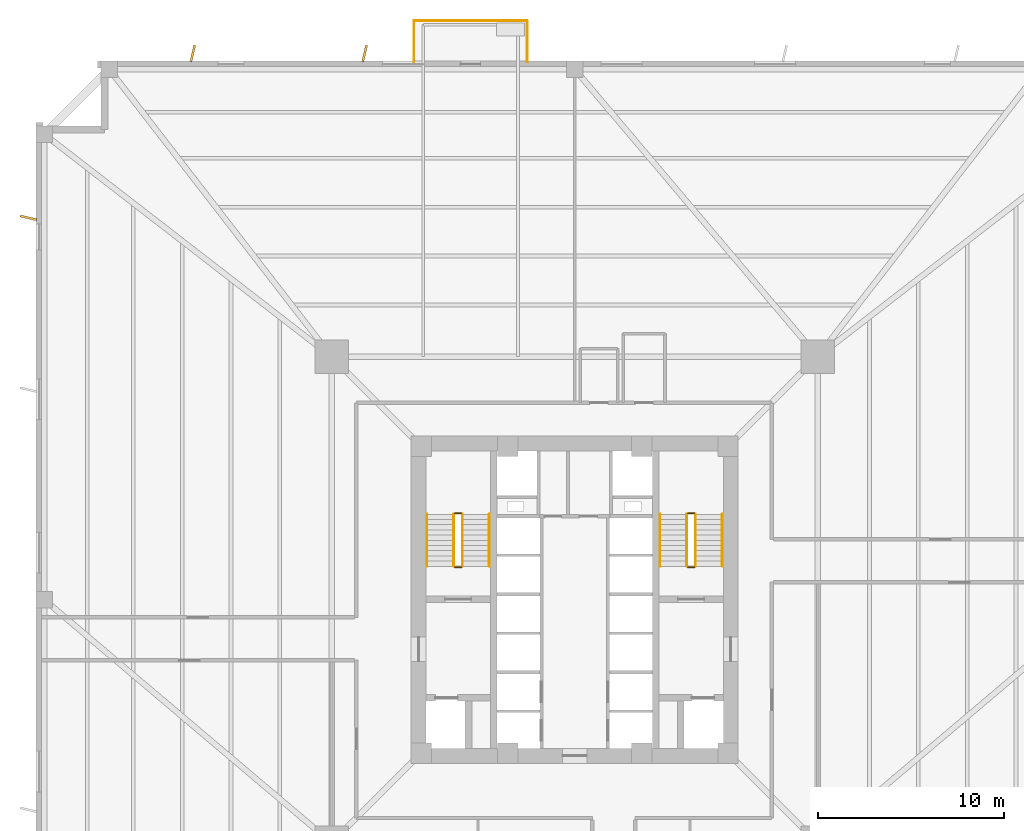
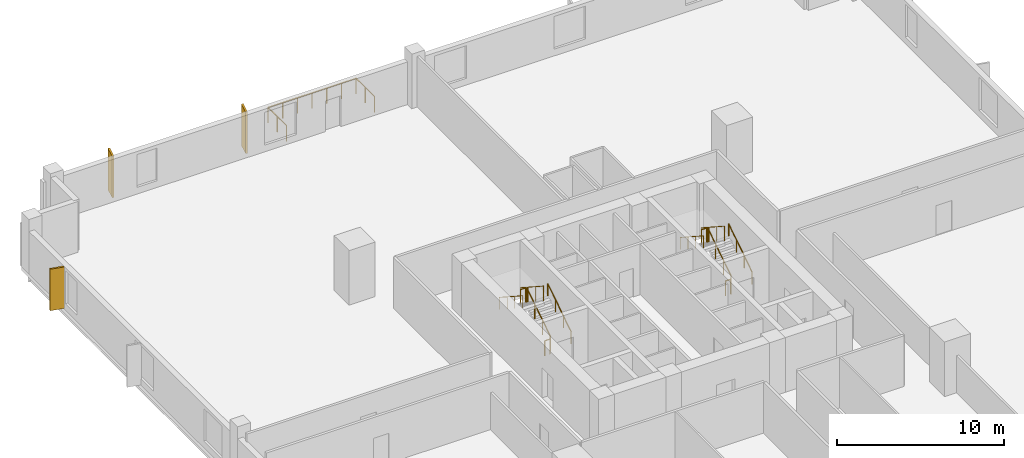
# One storey, part 7 of 8: 15 railings, 3 coverings.
"""IFC4 building model written with IfcOpenShell, lengths in metres."""

from ifc_helpers import new_model, si_unit, direction, frame, origin, origin_2d, place, context, subcontext, project, spatial, rectangle, circle, extrude, source, transform, mapped, material, layer, layer_set, type_object, element, save


model = new_model("IFC4")

# Units and contexts
model_context = context("Model", 3, precision=1e-05, world=origin(), true_north=direction((0.0, 1.0)))
body_context = subcontext(model_context, "Body", "Model", "MODEL_VIEW")
ifc_project = project(units=[si_unit("LENGTHUNIT", "METRE"), si_unit("AREAUNIT", "SQUARE_METRE"), si_unit("VOLUMEUNIT", "CUBIC_METRE"), si_unit("PLANEANGLEUNIT", "RADIAN"), si_unit("MASSUNIT", "GRAM", prefix="KILO"), si_unit("THERMODYNAMICTEMPERATUREUNIT", "KELVIN")], contexts=[model_context])

# Site, building, storey
site_placement = place(None, origin())
site = spatial("IfcSite", under=ifc_project, at=site_placement, CompositionType="ELEMENT")
building_placement = place(site_placement, origin())
building = spatial("IfcBuilding", under=site, at=building_placement, Name="Kosmvard Interchange Tower", CompositionType="ELEMENT")
storey_placement = place(building_placement, frame((0.0, 0.0, 50.0)))
storey = spatial("IfcBuildingStorey", under=building, at=storey_placement, Name="L11", CompositionType="ELEMENT", Elevation=50.0)

# Railings
ifc_material_1 = material(Name="Steel S355", Category="steel")
railing_type_1 = type_object("IfcRailingType", Name="Observation & Balcony Glass-Infill Balustrade 1150", PredefinedType="BALUSTRADE", material=ifc_material_1)
shared_shape_1 = source(origin(), body_context, "Body", "SweptSolid", [
    extrude(circle(Radius=0.02392578125, at=origin_2d()), frame((0.0, 0.0, 1.1259765625), z_axis=(0.0, -1.0, 0.0), x_axis=(1.0, 0.0, 0.0)), (0.0, 0.0, 1.0), 2.199951171875),
    extrude(circle(Radius=0.02099609375, at=origin_2d()), origin(), (0.0, 0.0, 1.0), 1.101806640625),
    extrude(circle(Radius=0.02099609375, at=origin_2d()), frame((0.0, -1.10009765625, 0.0)), (0.0, 0.0, 1.0), 1.101806640625),
    extrude(circle(Radius=0.02099609375, at=origin_2d()), frame((0.0, -2.199951171875, 0.0)), (0.0, 0.0, 1.0), 1.101806640625),
])
railing_1_placement = place(storey_placement, frame((-8.64990234375, 31.14990234375, 0.0)))
element("IfcRailing", 1, at=railing_1_placement, inside=storey, type_object=railing_type_1, Name="L11 Outdoor Terrace Guard BAL-L11-NE-C", PredefinedType="BALUSTRADE", context=body_context, shape_type="MappedRepresentation", body=[
    mapped(shared_shape_1, transform((0.0, 0.0, 0.0), scale=1.0)),
])
shared_shape_2 = source(origin(), body_context, "Body", "SweptSolid", [
    extrude(circle(Radius=0.02392578125, at=origin_2d()), frame((0.0, 0.0, 1.1259765625), z_axis=(0.0, 1.0, 0.0), x_axis=(-1.0, 0.0, 0.0)), (0.0, 0.0, 1.0), 2.199951171875),
    extrude(circle(Radius=0.02099609375, at=origin_2d()), origin(), (0.0, 0.0, 1.0), 1.101806640625),
    extrude(circle(Radius=0.02099609375, at=origin_2d()), frame((0.0, 1.10009765625, 0.0)), (0.0, 0.0, 1.0), 1.101806640625),
    extrude(circle(Radius=0.02099609375, at=origin_2d()), frame((0.0, 2.199951171875, 0.0)), (0.0, 0.0, 1.0), 1.101806640625),
])
railing_2_placement = place(storey_placement, frame((-2.550048828125, 28.949951171875, 0.0)))
element("IfcRailing", 2, at=railing_2_placement, inside=storey, type_object=railing_type_1, Name="L11 Outdoor Terrace Guard BAL-L11-NE-A", PredefinedType="BALUSTRADE", context=body_context, shape_type="MappedRepresentation", body=[
    mapped(shared_shape_2, transform((0.0, 0.0, 0.0), scale=1.0)),
])

# Coverings
ifc_material_2 = material(Name="Architectural anodised aluminium", Category="aluminium")
ifc_layer = layer(ifc_material_2, 0.1201171875, Name="Architectural anodised aluminium")
ifc_layer_set = layer_set([ifc_layer], Name="Architectural anodised aluminium")
covering_type = type_object("IfcCoveringType", Name="Rotating Vertical Sun-Breaker Fin 900x120 Aluminium", PredefinedType="CLADDING", material=ifc_layer_set)
shared_shape_3 = source(origin(), body_context, "Body", "SweptSolid", [
    extrude(rectangle(XDim=0.89990234375, YDim=0.1201171875, at=origin_2d()), origin(), (0.0, 0.0, 1.0), 3.0400390625),
])
for number, where, z_axis, x_axis, name in (
    (3, (-11.3037109375, 29.39990234375, 0.0400390625), (0.0, 0.0, 1.0), (0.230049737188, 0.973178872777, 0.0), "L11 Rotating Vertical Sun-Breaker Fin 11"),
    (4, (-20.552001953125, 29.39990234375, 0.0400390625), (0.0, 0.0, 1.0), (0.230049737188, 0.973178872777, 0.0), "L11 Rotating Vertical Sun-Breaker Fin 12"),
    (5, (-29.39990234375, 20.552001953125, 0.0400390625), (0.0, 0.0, 1.0), (-0.973178872777, 0.230049737188, 0.0), "L11 Rotating Vertical Sun-Breaker Fin 13"),
):
    element("IfcCovering", number, at=place(storey_placement, frame(where, z_axis=z_axis, x_axis=x_axis)), inside=storey, type_object=covering_type, Name=name, PredefinedType="CLADDING", context=body_context, shape_type="MappedRepresentation", body=[
        mapped(shared_shape_3, transform((0.0, 0.0, 0.0), scale=1.0)),
    ])

# Railings
shared_shape_4 = source(origin(), body_context, "Body", "SweptSolid", [
    extrude(circle(Radius=0.02392578125, at=origin_2d()), frame((0.0, 0.0, 1.1259765625), z_axis=(-1.0, 0.0, 0.0), x_axis=(0.0, -1.0, 0.0)), (0.0, 0.0, 1.0), 6.099853515625),
    extrude(circle(Radius=0.02099609375, at=origin_2d()), origin(), (0.0, 0.0, 1.0), 1.101806640625),
    extrude(circle(Radius=0.02099609375, at=origin_2d()), frame((-1.0166015625, 0.0, 0.0)), (0.0, 0.0, 1.0), 1.101806640625),
    extrude(circle(Radius=0.02099609375, at=origin_2d()), frame((-2.033203125, 0.0, 0.0)), (0.0, 0.0, 1.0), 1.101806640625),
    extrude(circle(Radius=0.02099609375, at=origin_2d()), frame((-3.0498046875, 0.0, 0.0)), (0.0, 0.0, 1.0), 1.101806640625),
    extrude(circle(Radius=0.02099609375, at=origin_2d()), frame((-4.066650390625, 0.0, 0.0)), (0.0, 0.0, 1.0), 1.101806640625),
    extrude(circle(Radius=0.02099609375, at=origin_2d()), frame((-5.083251953125, 0.0, 0.0)), (0.0, 0.0, 1.0), 1.101806640625),
    extrude(circle(Radius=0.02099609375, at=origin_2d()), frame((-6.099853515625, 0.0, 0.0)), (0.0, 0.0, 1.0), 1.101806640625),
])
railing_3_placement = place(storey_placement, frame((-2.550048828125, 31.14990234375, 0.0)))
element("IfcRailing", 6, at=railing_3_placement, inside=storey, type_object=railing_type_1, Name="L11 Outdoor Terrace Guard BAL-L11-NE-B", PredefinedType="BALUSTRADE", context=body_context, shape_type="MappedRepresentation", body=[
    mapped(shared_shape_4, transform((0.0, 0.0, 0.0), scale=1.0)),
])
railing_type_2 = type_object("IfcRailingType", Name="Stair & Terrace Safety Guardrail 1100 Steel", PredefinedType="GUARDRAIL", material=ifc_material_1)
shared_shape_5 = source(origin(), body_context, "Body", "SweptSolid", [
    extrude(circle(Radius=0.02392578125, at=origin_2d()), frame((0.0, 0.0, 1.076171875), z_axis=(-1.0, 0.0, 0.0), x_axis=(0.0, -1.0, 0.0)), (0.0, 0.0, 1.0), 0.35986328125),
    extrude(circle(Radius=0.02099609375, at=origin_2d()), origin(), (0.0, 0.0, 1.0), 1.052001953125),
    extrude(circle(Radius=0.02099609375, at=origin_2d()), frame((-0.35986328125, 0.0, 0.0)), (0.0, 0.0, 1.0), 1.052001953125),
])
for number, where, name in (
    (7, (-6.090087890625, 4.64990234375, 2.0), "L11 ST-1 stair guard 2"),
    (8, (-6.090087890625, 1.75, 0.0), "L11 ST-1 stair guard 4"),
    (9, (6.449951171875, 4.64990234375, 2.0), "L11 ST-2 stair guard 2"),
    (10, (6.449951171875, 1.75, 0.0), "L11 ST-2 stair guard 4"),
):
    element("IfcRailing", number, at=place(storey_placement, frame(where)), inside=storey, type_object=railing_type_2, Name=name, PredefinedType="GUARDRAIL", context=body_context, shape_type="MappedRepresentation", body=[
        mapped(shared_shape_5, transform((0.0, 0.0, 0.0), scale=1.0)),
    ])
shared_shape_6 = source(origin(), body_context, "Body", "SweptSolid", [
    extrude(circle(Radius=0.02392578125, at=origin_2d()), frame((0.0, 0.0, 1.076171875), z_axis=(0.0, 0.838705829183, 0.544584733623), x_axis=(-1.0, 0.0, 0.0)), (0.0, 0.0, 1.0), 3.338623046875),
    extrude(circle(Radius=0.02099609375, at=origin_2d()), origin(), (0.0, 0.0, 1.0), 1.052001953125),
    extrude(circle(Radius=0.02099609375, at=origin_2d()), frame((0.0, 0.933349609375, 0.60595703125)), (0.0, 0.0, 1.0), 1.052001953125),
    extrude(circle(Radius=0.02099609375, at=origin_2d()), frame((0.0, 1.86669921875, 1.212158203125)), (0.0, 0.0, 1.0), 1.052001953125),
    extrude(circle(Radius=0.02099609375, at=origin_2d()), frame((0.0, 2.800048828125, 1.818115234375)), (0.0, 0.0, 1.0), 1.052001953125),
])
for number, where, name in (
    (11, (-6.0400390625, 1.800048828125, 0.181884765625), "L11 ST-1 stair guard 1"),
    (12, (6.5, 1.800048828125, 0.181884765625), "L11 ST-2 stair guard 1"),
):
    element("IfcRailing", number, at=place(storey_placement, frame(where)), inside=storey, type_object=railing_type_2, Name=name, PredefinedType="GUARDRAIL", context=body_context, shape_type="MappedRepresentation", body=[
        mapped(shared_shape_6, transform((0.0, 0.0, 0.0), scale=1.0)),
    ])
shared_shape_7 = source(origin(), body_context, "Body", "SweptSolid", [
    extrude(circle(Radius=0.02392578125, at=origin_2d()), frame((0.0, 0.0, 1.076171875), z_axis=(0.0, -0.838705829183, 0.544584733623), x_axis=(1.0, 0.0, 0.0)), (0.0, 0.0, 1.0), 3.338623046875),
    extrude(circle(Radius=0.02099609375, at=origin_2d()), origin(), (0.0, 0.0, 1.0), 1.052001953125),
    extrude(circle(Radius=0.02099609375, at=origin_2d()), frame((0.0, -0.933349609375, 0.60595703125)), (0.0, 0.0, 1.0), 1.052001953125),
    extrude(circle(Radius=0.02099609375, at=origin_2d()), frame((0.0, -1.86669921875, 1.212158203125)), (0.0, 0.0, 1.0), 1.052001953125),
    extrude(circle(Radius=0.02099609375, at=origin_2d()), frame((0.0, -2.800048828125, 1.818115234375)), (0.0, 0.0, 1.0), 1.052001953125),
])
for number, where, name in (
    (13, (-6.5, 4.60009765625, 2.181884765625), "L11 ST-1 stair guard 3"),
    (14, (6.0400390625, 4.60009765625, 2.181884765625), "L11 ST-2 stair guard 3"),
):
    element("IfcRailing", number, at=place(storey_placement, frame(where)), inside=storey, type_object=railing_type_2, Name=name, PredefinedType="GUARDRAIL", context=body_context, shape_type="MappedRepresentation", body=[
        mapped(shared_shape_7, transform((0.0, 0.0, 0.0), scale=1.0)),
    ])
railing_type_3 = type_object("IfcRailingType", Name="Wall-Mounted Stair Handrail 900 Steel", PredefinedType="HANDRAIL", material=ifc_material_1)
shared_shape_8 = source(origin(), body_context, "Body", "SweptSolid", [
    extrude(circle(Radius=0.02392578125, at=origin_2d()), frame((0.0, 0.0, 0.8759765625), z_axis=(0.0, 0.838705829183, 0.544584733623), x_axis=(-1.0, 0.0, 0.0)), (0.0, 0.0, 1.0), 3.338623046875),
    extrude(circle(Radius=0.02099609375, at=origin_2d()), origin(), (0.0, 0.0, 1.0), 0.851806640625),
    extrude(circle(Radius=0.02099609375, at=origin_2d()), frame((0.0, 0.933349609375, 0.60595703125)), (0.0, 0.0, 1.0), 0.851806640625),
    extrude(circle(Radius=0.02099609375, at=origin_2d()), frame((0.0, 1.86669921875, 1.212158203125)), (0.0, 0.0, 1.0), 0.851806640625),
    extrude(circle(Radius=0.02099609375, at=origin_2d()), frame((0.0, 2.800048828125, 1.818115234375)), (0.0, 0.0, 1.0), 0.851806640625),
])
for number, where, name in (
    (15, (-4.590087890625, 1.800048828125, 0.181884765625), "L11 ST-1 stair handrail 1"),
    (16, (7.949951171875, 1.800048828125, 0.181884765625), "L11 ST-2 stair handrail 1"),
):
    element("IfcRailing", number, at=place(storey_placement, frame(where)), inside=storey, type_object=railing_type_3, Name=name, PredefinedType="HANDRAIL", context=body_context, shape_type="MappedRepresentation", body=[
        mapped(shared_shape_8, transform((0.0, 0.0, 0.0), scale=1.0)),
    ])
shared_shape_9 = source(origin(), body_context, "Body", "SweptSolid", [
    extrude(circle(Radius=0.02392578125, at=origin_2d()), frame((0.0, 0.0, 0.8759765625), z_axis=(0.0, -0.838705829183, 0.544584733623), x_axis=(1.0, 0.0, 0.0)), (0.0, 0.0, 1.0), 3.338623046875),
    extrude(circle(Radius=0.02099609375, at=origin_2d()), origin(), (0.0, 0.0, 1.0), 0.851806640625),
    extrude(circle(Radius=0.02099609375, at=origin_2d()), frame((0.0, -0.933349609375, 0.60595703125)), (0.0, 0.0, 1.0), 0.851806640625),
    extrude(circle(Radius=0.02099609375, at=origin_2d()), frame((0.0, -1.86669921875, 1.212158203125)), (0.0, 0.0, 1.0), 0.851806640625),
    extrude(circle(Radius=0.02099609375, at=origin_2d()), frame((0.0, -2.800048828125, 1.818115234375)), (0.0, 0.0, 1.0), 0.851806640625),
])
for number, where, name in (
    (17, (-7.949951171875, 4.60009765625, 2.181884765625), "L11 ST-1 stair handrail 2"),
    (18, (4.590087890625, 4.60009765625, 2.181884765625), "L11 ST-2 stair handrail 2"),
):
    element("IfcRailing", number, at=place(storey_placement, frame(where)), inside=storey, type_object=railing_type_3, Name=name, PredefinedType="HANDRAIL", context=body_context, shape_type="MappedRepresentation", body=[
        mapped(shared_shape_9, transform((0.0, 0.0, 0.0), scale=1.0)),
    ])

save(model, "model.ifc")
